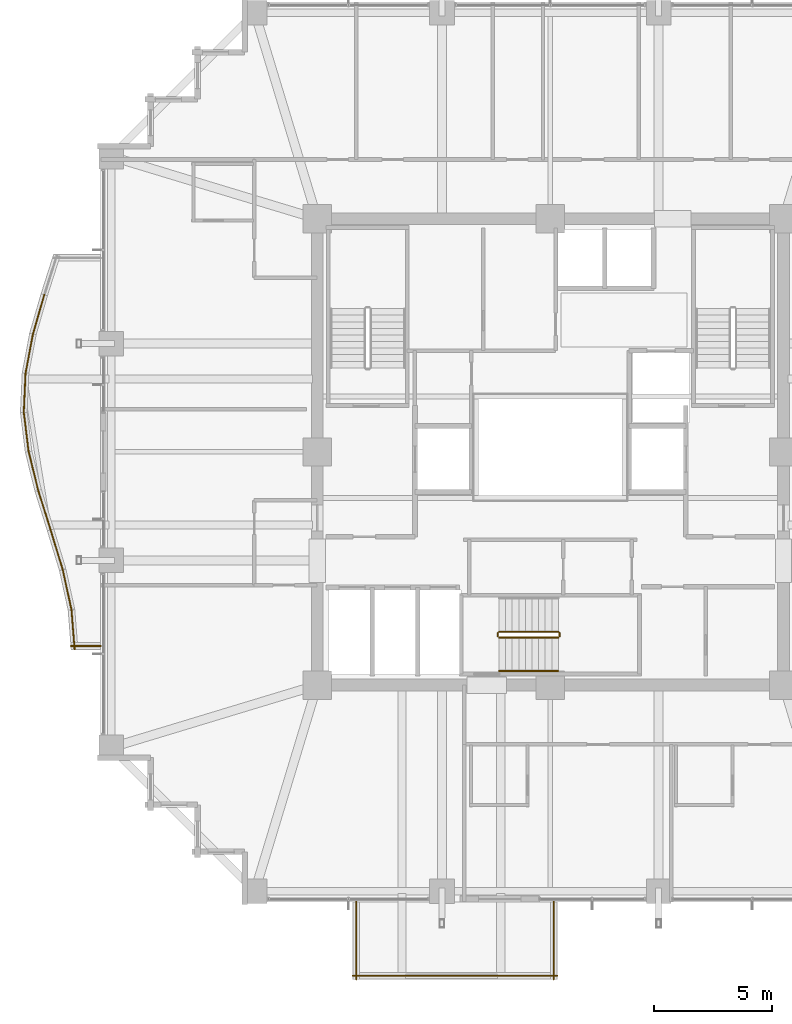
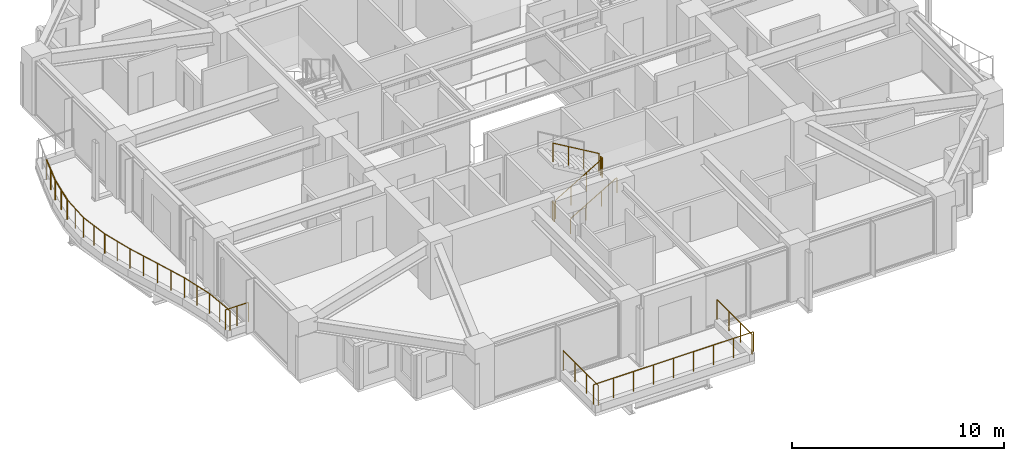
# One storey, part 36 of 38: 18 railings.
"""IFC4 building model written with IfcOpenShell, lengths in metres."""

from ifc_helpers import new_model, si_unit, direction, frame, origin, origin_2d, place, context, subcontext, project, spatial, circle, extrude, material, type_object, element, save


model = new_model("IFC4")

# Units and contexts
model_context = context("Model", 3, precision=1e-05, world=origin(), true_north=direction((0.0, 1.0)))
body_context = subcontext(model_context, "Body", "Model", "MODEL_VIEW")
ifc_project = project(units=[si_unit("LENGTHUNIT", "METRE"), si_unit("AREAUNIT", "SQUARE_METRE"), si_unit("VOLUMEUNIT", "CUBIC_METRE"), si_unit("PLANEANGLEUNIT", "RADIAN"), si_unit("MASSUNIT", "GRAM", prefix="KILO")], contexts=[model_context])

# Site, building, storey
site_placement = place(None, origin())
site = spatial("IfcSite", under=ifc_project, at=site_placement, CompositionType="ELEMENT")
building_placement = place(site_placement, origin())
building = spatial("IfcBuilding", under=site, at=building_placement, Name="Kolvaren Belvedere", CompositionType="ELEMENT")
storey_placement = place(building_placement, frame((0.0, 0.0, 121.699951171875)))
storey = spatial("IfcBuildingStorey", under=building, at=storey_placement, Name="L35", CompositionType="ELEMENT", Elevation=121.699951171875)

# Railings
ifc_material_1 = material(Name="Anodised pale-metal aluminium & laminated glass guard", Category="aluminium")
railing_type_1 = type_object("IfcRailingType", Name="RL-GUARD-1150", PredefinedType="GUARDRAIL", material=ifc_material_1)
railing_1_placement = place(storey_placement, frame((-8.39990234375, -22.239990234375, 0.380126953125)))
element("IfcRailing", 1, at=railing_1_placement, inside=storey, type_object=railing_type_1, Name="L35 Exterior Deck Safety Guard SPIRAL-05-S-1", PredefinedType="GUARDRAIL", context=body_context, shape_type="SweptSolid", body=[
    extrude(circle(Radius=0.02392578125, at=origin_2d()), frame((0.0, 0.0, 1.1259765625), z_axis=(1.0, 0.0, 0.0), x_axis=(0.0, 1.0, 0.0)), (0.0, 0.0, 1.0), 8.699951171875),
    extrude(circle(Radius=0.02099609375, at=origin_2d()), origin(), (0.0, 0.0, 1.0), 1.101806640625),
    extrude(circle(Radius=0.02099609375, at=origin_2d()), frame((1.08740234375, 0.0, 0.0)), (0.0, 0.0, 1.0), 1.101806640625),
    extrude(circle(Radius=0.02099609375, at=origin_2d()), frame((2.175048828125, 0.0, 0.0)), (0.0, 0.0, 1.0), 1.101806640625),
    extrude(circle(Radius=0.02099609375, at=origin_2d()), frame((3.262451171875, 0.0, 0.0)), (0.0, 0.0, 1.0), 1.101806640625),
    extrude(circle(Radius=0.02099609375, at=origin_2d()), frame((4.35009765625, 0.0, 0.0)), (0.0, 0.0, 1.0), 1.101806640625),
    extrude(circle(Radius=0.02099609375, at=origin_2d()), frame((5.4375, 0.0, 0.0)), (0.0, 0.0, 1.0), 1.101806640625),
    extrude(circle(Radius=0.02099609375, at=origin_2d()), frame((6.52490234375, 0.0, 0.0)), (0.0, 0.0, 1.0), 1.101806640625),
    extrude(circle(Radius=0.02099609375, at=origin_2d()), frame((7.612548828125, 0.0, 0.0)), (0.0, 0.0, 1.0), 1.101806640625),
    extrude(circle(Radius=0.02099609375, at=origin_2d()), frame((8.699951171875, 0.0, 0.0)), (0.0, 0.0, 1.0), 1.101806640625),
])
railing_2_placement = place(storey_placement, frame((0.139892578125, -22.39990234375, 0.380126953125)))
element("IfcRailing", 2, at=railing_2_placement, inside=storey, type_object=railing_type_1, Name="L35 Exterior Deck Safety Guard SPIRAL-05-S-2", PredefinedType="GUARDRAIL", context=body_context, shape_type="SweptSolid", body=[
    extrude(circle(Radius=0.02392578125, at=origin_2d()), frame((0.0, 0.0, 1.1259765625), z_axis=(0.0, 1.0, 0.0), x_axis=(-1.0, 0.0, 0.0)), (0.0, 0.0, 1.0), 3.2998046875),
    extrude(circle(Radius=0.02099609375, at=origin_2d()), origin(), (0.0, 0.0, 1.0), 1.101806640625),
    extrude(circle(Radius=0.02099609375, at=origin_2d()), frame((0.0, 1.099853515625, 0.0)), (0.0, 0.0, 1.0), 1.101806640625),
    extrude(circle(Radius=0.02099609375, at=origin_2d()), frame((0.0, 2.199951171875, 0.0)), (0.0, 0.0, 1.0), 1.101806640625),
    extrude(circle(Radius=0.02099609375, at=origin_2d()), frame((0.0, 3.2998046875, 0.0)), (0.0, 0.0, 1.0), 1.101806640625),
])
railing_3_placement = place(storey_placement, frame((-8.239990234375, -19.10009765625, 0.380126953125)))
element("IfcRailing", 3, at=railing_3_placement, inside=storey, type_object=railing_type_1, Name="L35 Exterior Deck Safety Guard SPIRAL-05-S-4", PredefinedType="GUARDRAIL", context=body_context, shape_type="SweptSolid", body=[
    extrude(circle(Radius=0.02392578125, at=origin_2d()), frame((0.0, 0.0, 1.1259765625), z_axis=(0.0, -1.0, 0.0), x_axis=(1.0, 0.0, 0.0)), (0.0, 0.0, 1.0), 3.2998046875),
    extrude(circle(Radius=0.02099609375, at=origin_2d()), origin(), (0.0, 0.0, 1.0), 1.101806640625),
    extrude(circle(Radius=0.02099609375, at=origin_2d()), frame((0.0, -1.099853515625, 0.0)), (0.0, 0.0, 1.0), 1.101806640625),
    extrude(circle(Radius=0.02099609375, at=origin_2d()), frame((0.0, -2.199951171875, 0.0)), (0.0, 0.0, 1.0), 1.101806640625),
    extrude(circle(Radius=0.02099609375, at=origin_2d()), frame((0.0, -3.2998046875, 0.0)), (0.0, 0.0, 1.0), 1.101806640625),
])
railing_4_placement = place(storey_placement, frame((-21.48876953125, 6.675537109375, 0.380126953125)))
element("IfcRailing", 4, at=railing_4_placement, inside=storey, type_object=railing_type_1, Name="L35 Exterior Deck Safety Guard BAL-W-2", PredefinedType="GUARDRAIL", context=body_context, shape_type="SweptSolid", body=[
    extrude(circle(Radius=0.02392578125, at=origin_2d()), frame((0.0, 0.0, 1.1259765625), z_axis=(-0.277817391164, -0.960633903819, 0.0), x_axis=(0.960633903819, -0.277817391164, 0.0)), (0.0, 0.0, 1.0), 1.748779296875),
    extrude(circle(Radius=0.02099609375, at=origin_2d()), origin(), (0.0, 0.0, 1.0), 1.101806640625),
    extrude(circle(Radius=0.02099609375, at=origin_2d()), frame((-0.242919921875, -0.83984375, 0.0)), (0.0, 0.0, 1.0), 1.101806640625),
    extrude(circle(Radius=0.02099609375, at=origin_2d()), frame((-0.48583984375, -1.679931640625, 0.0)), (0.0, 0.0, 1.0), 1.101806640625),
])
railing_5_placement = place(storey_placement, frame((-21.97119140625, 5.010498046875, 0.380126953125)))
element("IfcRailing", 5, at=railing_5_placement, inside=storey, type_object=railing_type_1, Name="L35 Exterior Deck Safety Guard BAL-W-3", PredefinedType="GUARDRAIL", context=body_context, shape_type="SweptSolid", body=[
    extrude(circle(Radius=0.02392578125, at=origin_2d()), frame((0.0, 0.0, 1.1259765625), z_axis=(-0.184788595231, -0.982778293957, 0.0), x_axis=(0.982778293957, -0.184788595231, 0.0)), (0.0, 0.0, 1.0), 1.709716796875),
    extrude(circle(Radius=0.02099609375, at=origin_2d()), origin(), (0.0, 0.0, 1.0), 1.101806640625),
    extrude(circle(Radius=0.02099609375, at=origin_2d()), frame((-0.157958984375, -0.840087890625, 0.0)), (0.0, 0.0, 1.0), 1.101806640625),
    extrude(circle(Radius=0.02099609375, at=origin_2d()), frame((-0.31591796875, -1.68017578125, 0.0)), (0.0, 0.0, 1.0), 1.101806640625),
])
railing_6_placement = place(storey_placement, frame((-22.284423828125, 3.352783203125, 0.380126953125)))
element("IfcRailing", 6, at=railing_6_placement, inside=storey, type_object=railing_type_1, Name="L35 Exterior Deck Safety Guard BAL-W-4", PredefinedType="GUARDRAIL", context=body_context, shape_type="SweptSolid", body=[
    extrude(circle(Radius=0.02392578125, at=origin_2d()), frame((0.0, 0.0, 1.1259765625), z_axis=(-0.045005941428, -0.998986719249, 0.0), x_axis=(0.998986719249, -0.045005941428, 0.0)), (0.0, 0.0, 1.0), 1.681640625),
    extrude(circle(Radius=0.02099609375, at=origin_2d()), origin(), (0.0, 0.0, 1.0), 1.101806640625),
    extrude(circle(Radius=0.02099609375, at=origin_2d()), frame((-0.037841796875, -0.83984375, 0.0)), (0.0, 0.0, 1.0), 1.101806640625),
    extrude(circle(Radius=0.02099609375, at=origin_2d()), frame((-0.07568359375, -1.679931640625, 0.0)), (0.0, 0.0, 1.0), 1.101806640625),
])
railing_7_placement = place(storey_placement, frame((-22.361083984375, 1.699462890625, 0.380126953125)))
element("IfcRailing", 7, at=railing_7_placement, inside=storey, type_object=railing_type_1, Name="L35 Exterior Deck Safety Guard BAL-W-5", PredefinedType="GUARDRAIL", context=body_context, shape_type="SweptSolid", body=[
    extrude(circle(Radius=0.02392578125, at=origin_2d()), frame((0.0, 0.0, 1.1259765625), z_axis=(0.121886315522, -0.99254406758, 0.0), x_axis=(0.99254406758, 0.121886315522, 0.0)), (0.0, 0.0, 1.0), 1.692626953125),
    extrude(circle(Radius=0.02099609375, at=origin_2d()), origin(), (0.0, 0.0, 1.0), 1.101806640625),
    extrude(circle(Radius=0.02099609375, at=origin_2d()), frame((0.10302734375, -0.83984375, 0.0)), (0.0, 0.0, 1.0), 1.101806640625),
    extrude(circle(Radius=0.02099609375, at=origin_2d()), frame((0.206298828125, -1.679931640625, 0.0)), (0.0, 0.0, 1.0), 1.101806640625),
])
railing_8_placement = place(storey_placement, frame((-22.158203125, 0.038330078125, 0.380126953125)))
element("IfcRailing", 8, at=railing_8_placement, inside=storey, type_object=railing_type_1, Name="L35 Exterior Deck Safety Guard BAL-W-6", PredefinedType="GUARDRAIL", context=body_context, shape_type="SweptSolid", body=[
    extrude(circle(Radius=0.02392578125, at=origin_2d()), frame((0.0, 0.0, 1.1259765625), z_axis=(0.239180748277, -0.970975061293, 0.0), x_axis=(0.970975061293, 0.239180748277, 0.0)), (0.0, 0.0, 1.0), 1.730224609375),
    extrude(circle(Radius=0.02099609375, at=origin_2d()), origin(), (0.0, 0.0, 1.0), 1.101806640625),
    extrude(circle(Radius=0.02099609375, at=origin_2d()), frame((0.20703125, -0.83984375, 0.0)), (0.0, 0.0, 1.0), 1.101806640625),
    extrude(circle(Radius=0.02099609375, at=origin_2d()), frame((0.413818359375, -1.679931640625, 0.0)), (0.0, 0.0, 1.0), 1.101806640625),
])
railing_9_placement = place(storey_placement, frame((-21.747314453125, -1.632080078125, 0.380126953125)))
element("IfcRailing", 9, at=railing_9_placement, inside=storey, type_object=railing_type_1, Name="L35 Exterior Deck Safety Guard BAL-W-7", PredefinedType="GUARDRAIL", context=body_context, shape_type="SweptSolid", body=[
    extrude(circle(Radius=0.02392578125, at=origin_2d()), frame((0.0, 0.0, 1.1259765625), z_axis=(0.299750886874, -0.95401750813, 0.0), x_axis=(0.95401750813, 0.299750886874, 0.0)), (0.0, 0.0, 1.0), 1.760986328125),
    extrude(circle(Radius=0.02099609375, at=origin_2d()), origin(), (0.0, 0.0, 1.0), 1.101806640625),
    extrude(circle(Radius=0.02099609375, at=origin_2d()), frame((0.263916015625, -0.83984375, 0.0)), (0.0, 0.0, 1.0), 1.101806640625),
    extrude(circle(Radius=0.02099609375, at=origin_2d()), frame((0.52783203125, -1.679931640625, 0.0)), (0.0, 0.0, 1.0), 1.101806640625),
])
railing_10_placement = place(storey_placement, frame((-21.218994140625, -3.3134765625, 0.380126953125)))
element("IfcRailing", 10, at=railing_10_placement, inside=storey, type_object=railing_type_1, Name="L35 Exterior Deck Safety Guard BAL-W-8", PredefinedType="GUARDRAIL", context=body_context, shape_type="SweptSolid", body=[
    extrude(circle(Radius=0.02392578125, at=origin_2d()), frame((0.0, 0.0, 1.1259765625), z_axis=(0.290879426191, -0.956759718748, 0.0), x_axis=(0.956759718748, 0.290879426191, 0.0)), (0.0, 0.0, 1.0), 1.755859375),
    extrude(circle(Radius=0.02099609375, at=origin_2d()), origin(), (0.0, 0.0, 1.0), 1.101806640625),
    extrude(circle(Radius=0.02099609375, at=origin_2d()), frame((0.25537109375, -0.83984375, 0.0)), (0.0, 0.0, 1.0), 1.101806640625),
    extrude(circle(Radius=0.02099609375, at=origin_2d()), frame((0.5107421875, -1.679931640625, 0.0)), (0.0, 0.0, 1.0), 1.101806640625),
])
railing_11_placement = place(storey_placement, frame((-20.705078125, -5.005859375, 0.380126953125)))
element("IfcRailing", 11, at=railing_11_placement, inside=storey, type_object=railing_type_1, Name="L35 Exterior Deck Safety Guard BAL-W-9", PredefinedType="GUARDRAIL", context=body_context, shape_type="SweptSolid", body=[
    extrude(circle(Radius=0.02392578125, at=origin_2d()), frame((0.0, 0.0, 1.1259765625), z_axis=(0.213802724545, -0.976876857632, 0.0), x_axis=(0.976876857632, 0.213802724545, 0.0)), (0.0, 0.0, 1.0), 1.7197265625),
    extrude(circle(Radius=0.02099609375, at=origin_2d()), origin(), (0.0, 0.0, 1.0), 1.101806640625),
    extrude(circle(Radius=0.02099609375, at=origin_2d()), frame((0.183837890625, -0.83984375, 0.0)), (0.0, 0.0, 1.0), 1.101806640625),
    extrude(circle(Radius=0.02099609375, at=origin_2d()), frame((0.36767578125, -1.679931640625, 0.0)), (0.0, 0.0, 1.0), 1.101806640625),
])
railing_12_placement = place(storey_placement, frame((-20.333984375, -6.707275390625, 0.380126953125)))
element("IfcRailing", 12, at=railing_12_placement, inside=storey, type_object=railing_type_1, Name="L35 Exterior Deck Safety Guard BAL-W-10", PredefinedType="GUARDRAIL", context=body_context, shape_type="SweptSolid", body=[
    extrude(circle(Radius=0.02392578125, at=origin_2d()), frame((0.0, 0.0, 1.1259765625), z_axis=(0.079244268248, -0.99685522818, 0.0), x_axis=(0.99685522818, 0.079244268248, 0.0)), (0.0, 0.0, 1.0), 1.685302734375),
    extrude(circle(Radius=0.02099609375, at=origin_2d()), origin(), (0.0, 0.0, 1.0), 1.101806640625),
    extrude(circle(Radius=0.02099609375, at=origin_2d()), frame((0.06689453125, -0.83984375, 0.0)), (0.0, 0.0, 1.0), 1.101806640625),
    extrude(circle(Radius=0.02099609375, at=origin_2d()), frame((0.133544921875, -1.679931640625, 0.0)), (0.0, 0.0, 1.0), 1.101806640625),
])
railing_13_placement = place(storey_placement, frame((-20.360107421875, -8.239990234375, 0.380126953125)))
element("IfcRailing", 13, at=railing_13_placement, inside=storey, type_object=railing_type_1, Name="L35 Exterior Deck Safety Guard BAL-W-11", PredefinedType="GUARDRAIL", context=body_context, shape_type="SweptSolid", body=[
    extrude(circle(Radius=0.02392578125, at=origin_2d()), frame((0.0, 0.0, 1.1259765625), z_axis=(1.0, 0.0, 0.0), x_axis=(0.0, 1.0, 0.0)), (0.0, 0.0, 1.0), 1.260009765625),
    extrude(circle(Radius=0.02099609375, at=origin_2d()), origin(), (0.0, 0.0, 1.0), 1.101806640625),
    extrude(circle(Radius=0.02099609375, at=origin_2d()), frame((0.6298828125, 0.0, 0.0)), (0.0, 0.0, 1.0), 1.101806640625),
    extrude(circle(Radius=0.02099609375, at=origin_2d()), frame((1.260009765625, 0.0, 0.0)), (0.0, 0.0, 1.0), 1.101806640625),
])
ifc_material_2 = material(Name="Brushed stainless-steel handrail", Category="steel")
railing_type_2 = type_object("IfcRailingType", Name="RL-HANDRAIL-920", PredefinedType="HANDRAIL", material=ifc_material_2)
railing_14_placement = place(storey_placement, frame((-2.179931640625, -9.300048828125, 0.1650390625)))
element("IfcRailing", 14, at=railing_14_placement, inside=storey, type_object=railing_type_2, Name="L35 ST-3 stair handrail 1", PredefinedType="HANDRAIL", context=body_context, shape_type="SweptSolid", body=[
    extrude(circle(Radius=0.02392578125, at=origin_2d()), frame((0.0, 0.0, 0.8759765625), z_axis=(0.86152411907, 0.0, 0.507716645641), x_axis=(0.0, 1.0, 0.0)), (0.0, 0.0, 1.0), 2.925048828125),
    extrude(circle(Radius=0.02099609375, at=origin_2d()), origin(), (0.0, 0.0, 1.0), 0.851806640625),
    extrude(circle(Radius=0.02099609375, at=origin_2d()), frame((0.840087890625, 0.0, 0.4951171875)), (0.0, 0.0, 1.0), 0.851806640625),
    extrude(circle(Radius=0.02099609375, at=origin_2d()), frame((1.679931640625, 0.0, 0.989990234375)), (0.0, 0.0, 1.0), 0.851806640625),
    extrude(circle(Radius=0.02099609375, at=origin_2d()), frame((2.52001953125, 0.0, 1.485107421875)), (0.0, 0.0, 1.0), 0.851806640625),
])
ifc_material_3 = material(Name="Painted tubular steel stair guard", Category="steel")
railing_type_3 = type_object("IfcRailingType", Name="RL-STGUARD-1100", PredefinedType="GUARDRAIL", material=ifc_material_3)
railing_15_placement = place(storey_placement, frame((-2.179931640625, -7.8798828125, 0.1650390625)))
element("IfcRailing", 15, at=railing_15_placement, inside=storey, type_object=railing_type_3, Name="L35 ST-3 stair guard 1", PredefinedType="GUARDRAIL", context=body_context, shape_type="SweptSolid", body=[
    extrude(circle(Radius=0.02392578125, at=origin_2d()), frame((0.0, 0.0, 1.076171875), z_axis=(0.86152411907, 0.0, 0.507716645641), x_axis=(0.0, 1.0, 0.0)), (0.0, 0.0, 1.0), 2.925048828125),
    extrude(circle(Radius=0.02099609375, at=origin_2d()), origin(), (0.0, 0.0, 1.0), 1.052001953125),
    extrude(circle(Radius=0.02099609375, at=origin_2d()), frame((0.840087890625, 0.0, 0.4951171875)), (0.0, 0.0, 1.0), 1.052001953125),
    extrude(circle(Radius=0.02099609375, at=origin_2d()), frame((1.679931640625, 0.0, 0.989990234375)), (0.0, 0.0, 1.0), 1.052001953125),
    extrude(circle(Radius=0.02099609375, at=origin_2d()), frame((2.52001953125, 0.0, 1.485107421875)), (0.0, 0.0, 1.0), 1.052001953125),
])
railing_16_placement = place(storey_placement, frame((0.389892578125, -7.830078125, 1.650146484375)))
element("IfcRailing", 16, at=railing_16_placement, inside=storey, type_object=railing_type_3, Name="L35 ST-3 stair guard 2", PredefinedType="GUARDRAIL", context=body_context, shape_type="SweptSolid", body=[
    extrude(circle(Radius=0.02392578125, at=origin_2d()), frame((0.0, 0.0, 1.076171875), z_axis=(0.0, 1.0, 0.0), x_axis=(-1.0, 0.0, 0.0)), (0.0, 0.0, 1.0), 0.150146484375),
    extrude(circle(Radius=0.02099609375, at=origin_2d()), origin(), (0.0, 0.0, 1.0), 1.052001953125),
    extrude(circle(Radius=0.02099609375, at=origin_2d()), frame((0.0, 0.150146484375, 0.0)), (0.0, 0.0, 1.0), 1.052001953125),
])
railing_17_placement = place(storey_placement, frame((0.340087890625, -7.6298828125, 1.81494140625)))
element("IfcRailing", 17, at=railing_17_placement, inside=storey, type_object=railing_type_3, Name="L35 ST-3 stair guard 3", PredefinedType="GUARDRAIL", context=body_context, shape_type="SweptSolid", body=[
    extrude(circle(Radius=0.02392578125, at=origin_2d()), frame((0.0, 0.0, 1.076171875), z_axis=(-0.86152411907, 0.0, 0.507716645641), x_axis=(0.0, -1.0, 0.0)), (0.0, 0.0, 1.0), 2.925048828125),
    extrude(circle(Radius=0.02099609375, at=origin_2d()), origin(), (0.0, 0.0, 1.0), 1.052001953125),
    extrude(circle(Radius=0.02099609375, at=origin_2d()), frame((-0.840087890625, 0.0, 0.4951171875)), (0.0, 0.0, 1.0), 1.052001953125),
    extrude(circle(Radius=0.02099609375, at=origin_2d()), frame((-1.679931640625, 0.0, 0.989990234375)), (0.0, 0.0, 1.0), 1.052001953125),
    extrude(circle(Radius=0.02099609375, at=origin_2d()), frame((-2.52001953125, 0.0, 1.485107421875)), (0.0, 0.0, 1.0), 1.052001953125),
])
railing_18_placement = place(storey_placement, frame((-2.22998046875, -7.830078125, 0.0)))
element("IfcRailing", 18, at=railing_18_placement, inside=storey, type_object=railing_type_3, Name="L35 ST-3 stair guard 4", PredefinedType="GUARDRAIL", context=body_context, shape_type="SweptSolid", body=[
    extrude(circle(Radius=0.02392578125, at=origin_2d()), frame((0.0, 0.0, 1.076171875), z_axis=(0.0, 1.0, 0.0), x_axis=(-1.0, 0.0, 0.0)), (0.0, 0.0, 1.0), 0.150146484375),
    extrude(circle(Radius=0.02099609375, at=origin_2d()), origin(), (0.0, 0.0, 1.0), 1.052001953125),
    extrude(circle(Radius=0.02099609375, at=origin_2d()), frame((0.0, 0.150146484375, 0.0)), (0.0, 0.0, 1.0), 1.052001953125),
])

save(model, "model.ifc")
